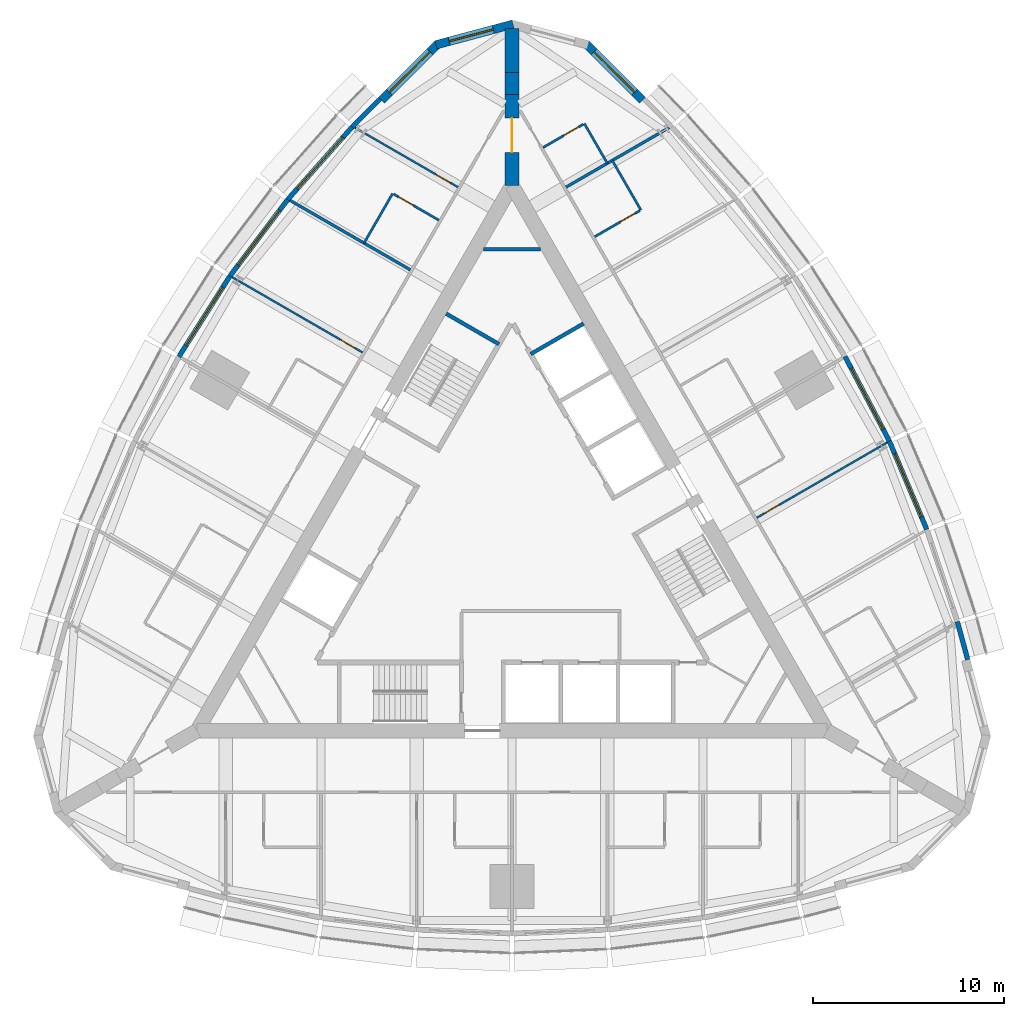
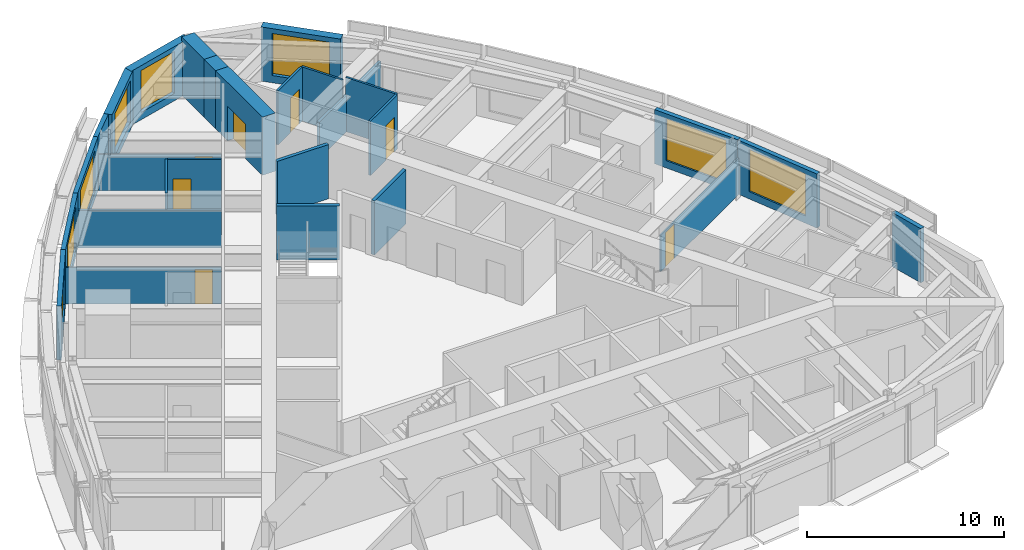
# One storey, part 13 of 15: 27 walls, 8 windows, 7 doors, 15 openings.
"""IFC4 building model written with IfcOpenShell, lengths in metres."""

from ifc_helpers import new_model, si_unit, direction, frame, frame_2d, origin, place, context, subcontext, project, spatial, polyline, rectangle, outline, extrude, material, layer, layer_set, type_object, element, fill, save


model = new_model("IFC4")

# Units and contexts
model_context = context("Model", 3, precision=1e-05, world=origin(), true_north=direction((0.0, 1.0)))
body_context = subcontext(model_context, "Body", "Model", "MODEL_VIEW")
ifc_project = project(units=[si_unit("LENGTHUNIT", "METRE"), si_unit("AREAUNIT", "SQUARE_METRE"), si_unit("VOLUMEUNIT", "CUBIC_METRE"), si_unit("PLANEANGLEUNIT", "RADIAN"), si_unit("MASSUNIT", "GRAM", prefix="KILO")], contexts=[model_context])

# Site, building, storey
site_placement = place(None, origin())
site = spatial("IfcSite", under=ifc_project, at=site_placement, CompositionType="ELEMENT")
building_placement = place(site_placement, origin())
building = spatial("IfcBuilding", under=site, at=building_placement, Name="Trikona Tower", CompositionType="ELEMENT")
storey_placement = place(building_placement, frame((0.0, 0.0, 229.699951171875)))
storey = spatial("IfcBuildingStorey", under=building, at=storey_placement, Name="L61", CompositionType="ELEMENT", Elevation=229.699951171875)

# Wall
ifc_material_1 = material(Name="Metal stud and cement board", Category="gypsum")
ifc_layer_1 = layer(ifc_material_1, 0.1201171875)
ifc_layer_set_1 = layer_set([ifc_layer_1], Name="Bathroom wall 120")
wall_type_1 = type_object("IfcWallType", Name="Bathroom wall 120", PredefinedType="PLUMBINGWALL", material=ifc_layer_set_1)
wall_1_placement = place(storey_placement, frame((6.75341796875, 17.75537109375, 0.0), z_axis=(0.0, 0.0, 1.0), x_axis=(-0.499990139034, 0.866031096941, 0.0)))
element("IfcWall", 1, at=wall_1_placement, inside=storey, type_object=wall_type_1, Name="Bathroom wall 6107.2", PredefinedType="PLUMBINGWALL", context=body_context, shape_type="SweptSolid", body=[
    extrude(rectangle(XDim=3.0, YDim=0.1201171875, at=frame_2d((1.5, 0.0))), origin(), (0.0, 0.0, 1.0), 3.35009765625),
])

# Wall, opening, door
wall_2_placement = place(storey_placement, frame((4.32861328125, 16.35546875, 0.0), z_axis=(0.0, 0.0, 1.0), x_axis=(0.866035715982, 0.499982138324, 0.0)))
wall_2 = element("IfcWall", 2, at=wall_2_placement, inside=storey, type_object=wall_type_1, Name="Bathroom wall 6107.2", PredefinedType="PLUMBINGWALL", context=body_context, shape_type="SweptSolid", body=[
    extrude(rectangle(XDim=2.73974609375, YDim=0.1201171875, at=frame_2d((1.369873046875, 0.0))), origin(), (0.0, 0.0, 1.0), 3.35009765625),
])
opening_1_placement = place(wall_2_placement, frame((1.550048828125, 0.0, 0.0)))
opening_1 = element("IfcOpeningElement", 3, at=opening_1_placement, cuts=wall_2, Name="Opening D2", PredefinedType="OPENING", context=body_context, shape_type="SweptSolid", body=[
    extrude(rectangle(XDim=0.89990234375, YDim=2.1298828125, at=frame_2d((0.449951171875, 1.06494140625))), frame((0.0, 0.070068359375, 0.0), z_axis=(0.0, -1.0, 0.0), x_axis=(1.0, 0.0, 0.0)), (0.0, 0.0, 1.0), 0.14013671875),
])
ifc_material_2 = material(Name="Steel door frame with solid-core timber leaf", Category="steel")
door_type_1 = type_object("IfcDoorType", Name="Bathroom door 900x2130", OperationType="SLIDING_TO_LEFT", PredefinedType="DOOR", material=ifc_material_2)
door_1_placement = place(opening_1_placement, origin())
door_1 = element("IfcDoor", 4, at=door_1_placement, inside=storey, type_object=door_type_1, Name="Bathroom door 6107.2", OperationType="SLIDING_TO_LEFT", OverallHeight=2.1298828125, OverallWidth=0.89990234375, PredefinedType="DOOR", context=body_context, shape_type="SweptSolid", body=[
    extrude(rectangle(XDim=0.89990234375, YDim=2.1298828125, at=frame_2d((0.449951171875, 1.06494140625))), frame((0.0, 0.02490234375, 0.0), z_axis=(0.0, -1.0, 0.0), x_axis=(1.0, 0.0, 0.0)), (0.0, 0.0, 1.0), 0.050048828125),
])
fill(opening_1, door_1)

# Wall
wall_3_placement = place(storey_placement, frame((4.993408203125, 20.20361328125, 0.0), z_axis=(0.0, 0.0, 1.0), x_axis=(-0.500001309137, 0.866024647952, 0.0)))
element("IfcWall", 5, at=wall_3_placement, inside=storey, type_object=wall_type_1, Name="Bathroom wall 6108", PredefinedType="PLUMBINGWALL", context=body_context, shape_type="SweptSolid", body=[
    extrude(rectangle(XDim=2.39990234375, YDim=0.1201171875, at=frame_2d((1.199951171875, 0.0))), origin(), (0.0, 0.0, 1.0), 3.35009765625),
])

# Wall, opening, door
wall_4_placement = place(storey_placement, frame((1.62841796875, 21.031982421875, 0.0), z_axis=(0.0, 0.0, 1.0), x_axis=(0.866048967903, 0.499959183527, 0.0)))
wall_4 = element("IfcWall", 6, at=wall_4_placement, inside=storey, type_object=wall_type_1, Name="Bathroom wall 6108", PredefinedType="PLUMBINGWALL", context=body_context, shape_type="SweptSolid", body=[
    extrude(rectangle(XDim=2.440185546875, YDim=0.1201171875, at=frame_2d((1.22021484375, 0.0))), origin(), (0.0, 0.0, 1.0), 3.35009765625),
])
opening_2_placement = place(wall_4_placement, frame((1.25, 0.0, 0.0)))
opening_2 = element("IfcOpeningElement", 7, at=opening_2_placement, cuts=wall_4, Name="Opening D2", PredefinedType="OPENING", context=body_context, shape_type="SweptSolid", body=[
    extrude(rectangle(XDim=0.89990234375, YDim=2.1298828125, at=frame_2d((0.449951171875, 1.06494140625))), frame((0.0, 0.070068359375, 0.0), z_axis=(0.0, -1.0, 0.0), x_axis=(1.0, 0.0, 0.0)), (0.0, 0.0, 1.0), 0.14013671875),
])
door_2_placement = place(opening_2_placement, origin())
door_2 = element("IfcDoor", 8, at=door_2_placement, inside=storey, type_object=door_type_1, Name="Bathroom door 6108", OperationType="SLIDING_TO_LEFT", OverallHeight=2.1298828125, OverallWidth=0.89990234375, PredefinedType="DOOR", context=body_context, shape_type="SweptSolid", body=[
    extrude(rectangle(XDim=0.89990234375, YDim=2.1298828125, at=frame_2d((0.449951171875, 1.06494140625))), frame((0.0, 0.02490234375, 0.0), z_axis=(0.0, -1.0, 0.0), x_axis=(1.0, 0.0, 0.0)), (0.0, 0.0, 1.0), 0.050048828125),
])
fill(opening_2, door_2)

# Wall
wall_5_placement = place(storey_placement, frame((-6.25341796875, 18.62158203125, 0.0), z_axis=(0.0, 0.0, 1.0), x_axis=(-0.499990139034, -0.866031096941, 0.0)))
element("IfcWall", 9, at=wall_5_placement, inside=storey, type_object=wall_type_1, Name="Bathroom wall 6109.1", PredefinedType="PLUMBINGWALL", context=body_context, shape_type="SweptSolid", body=[
    extrude(rectangle(XDim=3.0, YDim=0.1201171875, at=frame_2d((1.5, 0.0))), origin(), (0.0, 0.0, 1.0), 3.35009765625),
])

# Wall, opening, door
wall_6_placement = place(storey_placement, frame((-3.82861328125, 17.221435546875, 0.0), z_axis=(0.0, 0.0, 1.0), x_axis=(-0.865997131366, 0.500048966069, 0.0)))
wall_6 = element("IfcWall", 10, at=wall_6_placement, inside=storey, type_object=wall_type_1, Name="Bathroom wall 6109.1", PredefinedType="PLUMBINGWALL", context=body_context, shape_type="SweptSolid", body=[
    extrude(rectangle(XDim=2.739990234375, YDim=0.1201171875, at=frame_2d((1.3701171875, 0.0))), origin(), (0.0, 0.0, 1.0), 3.35009765625),
])
opening_3_placement = place(wall_6_placement, frame((1.550048828125, 0.0, 0.0)))
opening_3 = element("IfcOpeningElement", 11, at=opening_3_placement, cuts=wall_6, Name="Opening D2", PredefinedType="OPENING", context=body_context, shape_type="SweptSolid", body=[
    extrude(rectangle(XDim=0.89990234375, YDim=2.1298828125, at=frame_2d((0.449951171875, 1.06494140625))), frame((0.0, 0.070068359375, 0.0), z_axis=(0.0, -1.0, 0.0), x_axis=(1.0, 0.0, 0.0)), (0.0, 0.0, 1.0), 0.14013671875),
])
door_3_placement = place(opening_3_placement, origin())
door_3 = element("IfcDoor", 12, at=door_3_placement, inside=storey, type_object=door_type_1, Name="Bathroom door 6109.1", OperationType="SLIDING_TO_LEFT", OverallHeight=2.1298828125, OverallWidth=0.89990234375, PredefinedType="DOOR", context=body_context, shape_type="SweptSolid", body=[
    extrude(rectangle(XDim=0.89990234375, YDim=2.1298828125, at=frame_2d((0.449951171875, 1.06494140625))), frame((0.0, 0.02490234375, 0.0), z_axis=(0.0, -1.0, 0.0), x_axis=(1.0, 0.0, 0.0)), (0.0, 0.0, 1.0), 0.050048828125),
])
fill(opening_3, door_3)

# Wall, opening, window
ifc_material_3 = material(Name="Brick-faced precast concrete", Category="masonry")
ifc_layer_2 = layer(ifc_material_3, 0.449951171875)
ifc_layer_set_2 = layer_set([ifc_layer_2], Name="Brick-faced corner wall 450")
wall_type_2 = type_object("IfcWallType", Name="Brick-faced corner wall 450", PredefinedType="SOLIDWALL", material=ifc_layer_set_2)
wall_7_placement = place(storey_placement, frame((6.8408203125, 23.51220703125, 0.0), z_axis=(0.0, 0.0, 1.0), x_axis=(-0.707106781187, 0.707106781187, 0.0)))
wall_7 = element("IfcWall", 13, at=wall_7_placement, inside=storey, type_object=wall_type_2, Name="External wall L61-20", PredefinedType="SOLIDWALL", context=body_context, shape_type="SweptSolid", body=[
    extrude(rectangle(XDim=4.183837890625, YDim=0.449951171875, at=frame_2d((2.091796875, 0.0))), origin(), (0.0, 0.0, 1.0), 3.35009765625),
])
opening_4_placement = place(wall_7_placement, frame((0.592041015625, 0.0, 0.449951171875)))
opening_4 = element("IfcOpeningElement", 14, at=opening_4_placement, cuts=wall_7, Name="Opening W3026", PredefinedType="OPENING", context=body_context, shape_type="SweptSolid", body=[
    extrude(rectangle(XDim=3.0, YDim=2.60009765625, at=frame_2d((1.5, 1.300048828125))), frame((0.0, 0.23486328125, 0.0), z_axis=(0.0, -1.0, 0.0), x_axis=(1.0, 0.0, 0.0)), (0.0, 0.0, 1.0), 0.469970703125),
])
ifc_material_4 = material(Name="Aluminium-framed double glazing", Category="aluminium")
window_type_1 = type_object("IfcWindowType", Name="Window 3000x2600", PartitioningType="SINGLE_PANEL", PredefinedType="WINDOW", material=ifc_material_4)
window_1_placement = place(opening_4_placement, origin())
window_1 = element("IfcWindow", 15, at=window_1_placement, inside=storey, type_object=window_type_1, Name="Window 6108", OverallHeight=2.60009765625, OverallWidth=3.0, PartitioningType="SINGLE_PANEL", PredefinedType="WINDOW", context=body_context, shape_type="SweptSolid", body=[
    extrude(rectangle(XDim=3.0, YDim=2.60009765625, at=frame_2d((1.5, 1.300048828125))), frame((0.0, 0.030029296875, 0.0), z_axis=(0.0, -1.0, 0.0), x_axis=(1.0, 0.0, 0.0)), (0.0, 0.0, 1.0), 0.06005859375),
])
fill(opening_4, window_1)

wall_8_placement = place(storey_placement, frame((0.05810546875, 27.49560546875, 0.0), z_axis=(0.0, 0.0, 1.0), x_axis=(-0.965920442324, -0.258839137498, 0.0)))
wall_8 = element("IfcWall", 16, at=wall_8_placement, inside=storey, type_object=wall_type_2, Name="External wall L61-22", PredefinedType="SOLIDWALL", context=body_context, shape_type="SweptSolid", body=[
    extrude(outline(polyline([(4.18408203125, 0.22509765625), (0.5087890625, 0.22509765625), (0.478515625, 0.11279296875), (0.059814453125, 0.22509765625), (0.0, 0.22509765625), (0.0, -0.22509765625), (4.18408203125, -0.22509765625), (4.18408203125, 0.22509765625)])), origin(), (0.0, 0.0, 1.0), 3.35009765625),
])
opening_5_placement = place(wall_8_placement, frame((1.0712890625, 0.0, 0.449951171875)))
opening_5 = element("IfcOpeningElement", 17, at=opening_5_placement, cuts=wall_8, Name="Opening W2426", PredefinedType="OPENING", context=body_context, shape_type="SweptSolid", body=[
    extrude(rectangle(XDim=2.39990234375, YDim=2.60009765625, at=frame_2d((1.199951171875, 1.300048828125))), frame((0.0, 0.23486328125, 0.0), z_axis=(0.0, -1.0, 0.0), x_axis=(1.0, 0.0, 0.0)), (0.0, 0.0, 1.0), 0.469970703125),
])
ifc_material_5 = material(Name="Aluminium-framed double glazing", Category="aluminium")
window_type_2 = type_object("IfcWindowType", Name="Window 2400x2600", PartitioningType="SINGLE_PANEL", PredefinedType="WINDOW", material=ifc_material_5)
window_2_placement = place(opening_5_placement, origin())
window_2 = element("IfcWindow", 18, at=window_2_placement, inside=storey, type_object=window_type_2, Name="Window 6109", OverallHeight=2.60009765625, OverallWidth=2.39990234375, PartitioningType="SINGLE_PANEL", PredefinedType="WINDOW", context=body_context, shape_type="SweptSolid", body=[
    extrude(rectangle(XDim=2.39990234375, YDim=2.60009765625, at=frame_2d((1.199951171875, 1.300048828125))), frame((0.0, 0.030029296875, 0.0), z_axis=(0.0, -1.0, 0.0), x_axis=(1.0, 0.0, 0.0)), (0.0, 0.0, 1.0), 0.06005859375),
])
fill(opening_5, window_2)

wall_9_placement = place(storey_placement, frame((-3.88232421875, 26.470703125, 0.0), z_axis=(0.0, 0.0, 1.0), x_axis=(-0.707106781187, -0.707106781187, 0.0)))
wall_9 = element("IfcWall", 19, at=wall_9_placement, inside=storey, type_object=wall_type_2, Name="External wall L61-23", PredefinedType="SOLIDWALL", context=body_context, shape_type="SweptSolid", body=[
    extrude(rectangle(XDim=4.183837890625, YDim=0.449951171875, at=frame_2d((2.091796875, 0.0))), origin(), (0.0, 0.0, 1.0), 3.35009765625),
])
opening_6_placement = place(wall_9_placement, frame((0.592041015625, 0.0, 0.449951171875)))
opening_6 = element("IfcOpeningElement", 20, at=opening_6_placement, cuts=wall_9, Name="Opening W3026", PredefinedType="OPENING", context=body_context, shape_type="SweptSolid", body=[
    extrude(rectangle(XDim=3.0, YDim=2.60009765625, at=frame_2d((1.5, 1.300048828125))), frame((0.0, 0.23486328125, 0.0), z_axis=(0.0, -1.0, 0.0), x_axis=(1.0, 0.0, 0.0)), (0.0, 0.0, 1.0), 0.469970703125),
])
window_3_placement = place(opening_6_placement, origin())
window_3 = element("IfcWindow", 21, at=window_3_placement, inside=storey, type_object=window_type_1, Name="Window 6109", OverallHeight=2.60009765625, OverallWidth=3.0, PartitioningType="SINGLE_PANEL", PredefinedType="WINDOW", context=body_context, shape_type="SweptSolid", body=[
    extrude(rectangle(XDim=3.0, YDim=2.60009765625, at=frame_2d((1.5, 1.300048828125))), frame((0.0, 0.030029296875, 0.0), z_axis=(0.0, -1.0, 0.0), x_axis=(1.0, 0.0, 0.0)), (0.0, 0.0, 1.0), 0.06005859375),
])
fill(opening_6, window_3)

# Wall, opening, door
ifc_material_6 = material(Name="Concrete f'c 10000 psi", Category="concrete")
ifc_layer_3 = layer(ifc_material_6, 0.75)
ifc_layer_set_3 = layer_set([ifc_layer_3], Name="Buttress wall 750")
wall_type_3 = type_object("IfcWallType", Name="Buttress wall 750", PredefinedType="SHEAR", material=ifc_layer_set_3)
wall_10_placement = place(storey_placement, frame((0.0, 19.052490234375, 0.0), z_axis=(0.0, 0.0, 1.0), x_axis=(0.0, 1.0, 0.0)))
wall_10 = element("IfcWall", 22, at=wall_10_placement, inside=storey, type_object=wall_type_3, Name="Buttress wall 2", PredefinedType="SHEAR", context=body_context, shape_type="SweptSolid", body=[
    extrude(rectangle(XDim=4.74609375, YDim=0.75, at=frame_2d((2.373046875, 0.0))), origin(), (0.0, 0.0, 1.0), 3.60009765625),
])
opening_7_placement = place(wall_10_placement, frame((1.72509765625, 0.0, 0.0)))
opening_7 = element("IfcOpeningElement", 23, at=opening_7_placement, cuts=wall_10, Name="Opening D10", PredefinedType="OPENING", context=body_context, shape_type="SweptSolid", body=[
    extrude(rectangle(XDim=1.800048828125, YDim=2.1298828125, at=frame_2d((0.89990234375, 1.06494140625))), frame((0.0, 0.385009765625, 0.0), z_axis=(0.0, -1.0, 0.0), x_axis=(1.0, 0.0, 0.0)), (0.0, 0.0, 1.0), 0.77001953125),
])
ifc_material_7 = material(Name="Hollow metal door and frame", Category="steel")
door_type_2 = type_object("IfcDoorType", Name="Cross-corridor door pair 1800x2130", OperationType="DOUBLE_DOOR_DOUBLE_SWING", PredefinedType="DOOR", material=ifc_material_7)
door_4_placement = place(opening_7_placement, origin())
door_4 = element("IfcDoor", 24, at=door_4_placement, inside=storey, type_object=door_type_2, Name="Cross-corridor door 2", OperationType="DOUBLE_DOOR_DOUBLE_SWING", OverallHeight=2.1298828125, OverallWidth=1.800048828125, PredefinedType="DOOR", context=body_context, shape_type="SweptSolid", body=[
    extrude(rectangle(XDim=1.800048828125, YDim=2.1298828125, at=frame_2d((0.89990234375, 1.06494140625))), frame((0.0, 0.02490234375, 0.0), z_axis=(0.0, -1.0, 0.0), x_axis=(1.0, 0.0, 0.0)), (0.0, 0.0, 1.0), 0.050048828125),
])
fill(opening_7, door_4)

# Walls
wall_11_placement = place(storey_placement, frame((0.0, 23.798583984375, 0.0), z_axis=(0.0, 0.0, 1.0), x_axis=(0.0, 1.0, 0.0)))
element("IfcWall", 25, at=wall_11_placement, inside=storey, type_object=wall_type_3, Name="Buttress wall 2 part 2", PredefinedType="SHEAR", context=body_context, shape_type="SweptSolid", body=[
    extrude(rectangle(XDim=1.15478515625, YDim=0.75, at=frame_2d((0.577392578125, 0.0))), origin(), (0.0, 0.0, 1.0), 3.60009765625),
])
wall_12_placement = place(storey_placement, frame((0.0, 24.953369140625, 0.0), z_axis=(0.0, 0.0, 1.0), x_axis=(0.0, 1.0, 0.0)))
element("IfcWall", 26, at=wall_12_placement, inside=storey, type_object=wall_type_3, Name="Buttress wall 2 part 3", PredefinedType="SHEAR", context=body_context, shape_type="SweptSolid", body=[
    extrude(rectangle(XDim=2.309326171875, YDim=0.75, at=frame_2d((1.15478515625, 0.0))), origin(), (0.0, 0.0, 1.0), 3.60009765625),
])
ifc_material_8 = material(Name="Insulated precast concrete spandrel panel", Category="concrete")
ifc_layer_4 = layer(ifc_material_8, 0.25)
ifc_layer_set_4 = layer_set([ifc_layer_4], Name="Inner skin wall 250")
wall_type_4 = type_object("IfcWallType", Name="Inner skin wall 250", PredefinedType="STANDARD", material=ifc_layer_set_4)
wall_13_placement = place(storey_placement, frame((23.87939453125, -5.806396484375, 0.0), z_axis=(0.0, 0.0, 1.0), x_axis=(-0.262867703986, 0.964831887015, 0.0)))
element("IfcWall", 27, at=wall_13_placement, inside=storey, type_object=wall_type_4, Name="External wall L61-12", PredefinedType="STANDARD", context=body_context, shape_type="SweptSolid", body=[
    extrude(rectangle(XDim=2.068359375, YDim=0.25, at=frame_2d((1.0341796875, 0.0))), origin(), (0.0, 0.0, 1.0), 3.35009765625),
])

# Wall, opening, window
wall_14_placement = place(storey_placement, frame((21.73291015625, 1.01806640625, 0.0), z_axis=(0.0, 0.0, 1.0), x_axis=(-0.390096809471, 0.920773848044, 0.0)))
wall_14 = element("IfcWall", 28, at=wall_14_placement, inside=storey, type_object=wall_type_4, Name="External wall L61-14", PredefinedType="STANDARD", context=body_context, shape_type="SweptSolid", body=[
    extrude(rectangle(XDim=5.0380859375, YDim=0.25, at=frame_2d((2.51904296875, 0.0))), origin(), (0.0, 0.0, 1.0), 3.35009765625),
])
opening_8_placement = place(wall_14_placement, frame((0.718994140625, 0.0, 0.449951171875)))
opening_8 = element("IfcOpeningElement", 29, at=opening_8_placement, cuts=wall_14, Name="Opening W3626", PredefinedType="OPENING", context=body_context, shape_type="SweptSolid", body=[
    extrude(rectangle(XDim=3.60009765625, YDim=2.60009765625, at=frame_2d((1.800048828125, 1.300048828125))), frame((0.0, 0.135009765625, 0.0), z_axis=(0.0, -1.0, 0.0), x_axis=(1.0, 0.0, 0.0)), (0.0, 0.0, 1.0), 0.27001953125),
])
ifc_material_9 = material(Name="Aluminium-framed double glazing", Category="aluminium")
window_type_3 = type_object("IfcWindowType", Name="Window 3600x2600", PartitioningType="SINGLE_PANEL", PredefinedType="WINDOW", material=ifc_material_9)
window_4_placement = place(opening_8_placement, origin())
window_4 = element("IfcWindow", 30, at=window_4_placement, inside=storey, type_object=window_type_3, Name="Window 6106", OverallHeight=2.60009765625, OverallWidth=3.60009765625, PartitioningType="SINGLE_PANEL", PredefinedType="WINDOW", context=body_context, shape_type="SweptSolid", body=[
    extrude(rectangle(XDim=3.60009765625, YDim=2.60009765625, at=frame_2d((1.800048828125, 1.300048828125))), frame((0.0, 0.030029296875, 0.0), z_axis=(0.0, -1.0, 0.0), x_axis=(1.0, 0.0, 0.0)), (0.0, 0.0, 1.0), 0.06005859375),
])
fill(opening_8, window_4)

wall_15_placement = place(storey_placement, frame((19.772216796875, 5.64794921875, 0.0), z_axis=(0.0, 0.0, 1.0), x_axis=(-0.463976002579, 0.885847768542, 0.0)))
wall_15 = element("IfcWall", 31, at=wall_15_placement, inside=storey, type_object=wall_type_4, Name="External wall L61-15", PredefinedType="STANDARD", context=body_context, shape_type="SweptSolid", body=[
    extrude(rectangle(XDim=5.004150390625, YDim=0.25, at=frame_2d((2.501953125, 0.0))), origin(), (0.0, 0.0, 1.0), 3.35009765625),
])
opening_9_placement = place(wall_15_placement, frame((0.7021484375, 0.0, 0.449951171875)))
opening_9 = element("IfcOpeningElement", 32, at=opening_9_placement, cuts=wall_15, Name="Opening W3626", PredefinedType="OPENING", context=body_context, shape_type="SweptSolid", body=[
    extrude(rectangle(XDim=3.60009765625, YDim=2.60009765625, at=frame_2d((1.800048828125, 1.300048828125))), frame((0.0, 0.135009765625, 0.0), z_axis=(0.0, -1.0, 0.0), x_axis=(1.0, 0.0, 0.0)), (0.0, 0.0, 1.0), 0.27001953125),
])
window_5_placement = place(opening_9_placement, origin())
window_5 = element("IfcWindow", 33, at=window_5_placement, inside=storey, type_object=window_type_3, Name="Window 6106.2", OverallHeight=2.60009765625, OverallWidth=3.60009765625, PartitioningType="SINGLE_PANEL", PredefinedType="WINDOW", context=body_context, shape_type="SweptSolid", body=[
    extrude(rectangle(XDim=3.60009765625, YDim=2.60009765625, at=frame_2d((1.800048828125, 1.300048828125))), frame((0.0, 0.030029296875, 0.0), z_axis=(0.0, -1.0, 0.0), x_axis=(1.0, 0.0, 0.0)), (0.0, 0.0, 1.0), 0.06005859375),
])
fill(opening_9, window_5)

# Wall
wall_16_placement = place(storey_placement, frame((-6.9111328125, 23.58349609375, 0.0), z_axis=(0.0, 0.0, 1.0), x_axis=(-0.704149946111, -0.710051303352, 0.0)))
element("IfcWall", 34, at=wall_16_placement, inside=storey, type_object=wall_type_4, Name="External wall L61-24", PredefinedType="STANDARD", context=body_context, shape_type="SweptSolid", body=[
    extrude(rectangle(XDim=2.068603515625, YDim=0.25, at=frame_2d((1.0341796875, 0.0))), origin(), (0.0, 0.0, 1.0), 3.35009765625),
])

# Wall, opening, window
wall_17_placement = place(storey_placement, frame((-8.363037109375, 22.119873046875, 0.0), z_axis=(0.0, 0.0, 1.0), x_axis=(-0.664348996191, -0.747422511876, 0.0)))
wall_17 = element("IfcWall", 35, at=wall_17_placement, inside=storey, type_object=wall_type_4, Name="External wall L61-25", PredefinedType="STANDARD", context=body_context, shape_type="SweptSolid", body=[
    extrude(rectangle(XDim=5.104736328125, YDim=0.25, at=frame_2d((2.55224609375, 0.0))), origin(), (0.0, 0.0, 1.0), 3.35009765625),
])
opening_10_placement = place(wall_17_placement, frame((0.75244140625, 0.0, 0.449951171875)))
opening_10 = element("IfcOpeningElement", 36, at=opening_10_placement, cuts=wall_17, Name="Opening W3626", PredefinedType="OPENING", context=body_context, shape_type="SweptSolid", body=[
    extrude(rectangle(XDim=3.60009765625, YDim=2.60009765625, at=frame_2d((1.800048828125, 1.300048828125))), frame((0.0, 0.135009765625, 0.0), z_axis=(0.0, -1.0, 0.0), x_axis=(1.0, 0.0, 0.0)), (0.0, 0.0, 1.0), 0.27001953125),
])
window_6_placement = place(opening_10_placement, origin())
window_6 = element("IfcWindow", 37, at=window_6_placement, inside=storey, type_object=window_type_3, Name="Window 6109.1", OverallHeight=2.60009765625, OverallWidth=3.60009765625, PartitioningType="SINGLE_PANEL", PredefinedType="WINDOW", context=body_context, shape_type="SweptSolid", body=[
    extrude(rectangle(XDim=3.60009765625, YDim=2.60009765625, at=frame_2d((1.800048828125, 1.300048828125))), frame((0.0, 0.030029296875, 0.0), z_axis=(0.0, -1.0, 0.0), x_axis=(1.0, 0.0, 0.0)), (0.0, 0.0, 1.0), 0.06005859375),
])
fill(opening_10, window_6)

wall_18_placement = place(storey_placement, frame((-11.748046875, 18.31201171875, 0.0), z_axis=(0.0, 0.0, 1.0), x_axis=(-0.602408653511, -0.798187831388, 0.0)))
wall_18 = element("IfcWall", 38, at=wall_18_placement, inside=storey, type_object=wall_type_4, Name="External wall L61-26", PredefinedType="STANDARD", context=body_context, shape_type="SweptSolid", body=[
    extrude(rectangle(XDim=5.037841796875, YDim=0.25, at=frame_2d((2.51904296875, 0.0))), origin(), (0.0, 0.0, 1.0), 3.35009765625),
])
opening_11_placement = place(wall_18_placement, frame((0.718994140625, 0.0, 0.449951171875)))
opening_11 = element("IfcOpeningElement", 39, at=opening_11_placement, cuts=wall_18, Name="Opening W3626", PredefinedType="OPENING", context=body_context, shape_type="SweptSolid", body=[
    extrude(rectangle(XDim=3.60009765625, YDim=2.60009765625, at=frame_2d((1.800048828125, 1.300048828125))), frame((0.0, 0.135009765625, 0.0), z_axis=(0.0, -1.0, 0.0), x_axis=(1.0, 0.0, 0.0)), (0.0, 0.0, 1.0), 0.27001953125),
])
window_7_placement = place(opening_11_placement, origin())
window_7 = element("IfcWindow", 40, at=window_7_placement, inside=storey, type_object=window_type_3, Name="Window 6110", OverallHeight=2.60009765625, OverallWidth=3.60009765625, PartitioningType="SINGLE_PANEL", PredefinedType="WINDOW", context=body_context, shape_type="SweptSolid", body=[
    extrude(rectangle(XDim=3.60009765625, YDim=2.60009765625, at=frame_2d((1.800048828125, 1.300048828125))), frame((0.0, 0.030029296875, 0.0), z_axis=(0.0, -1.0, 0.0), x_axis=(1.0, 0.0, 0.0)), (0.0, 0.0, 1.0), 0.06005859375),
])
fill(opening_11, window_7)

wall_19_placement = place(storey_placement, frame((-14.777099609375, 14.29931640625, 0.0), z_axis=(0.0, 0.0, 1.0), x_axis=(-0.535220361449, -0.844712474568, 0.0)))
wall_19 = element("IfcWall", 41, at=wall_19_placement, inside=storey, type_object=wall_type_4, Name="External wall L61-27", PredefinedType="STANDARD", context=body_context, shape_type="SweptSolid", body=[
    extrude(rectangle(XDim=5.00439453125, YDim=0.25, at=frame_2d((2.502197265625, 0.0))), origin(), (0.0, 0.0, 1.0), 3.35009765625),
])
opening_12_placement = place(wall_19_placement, frame((0.7021484375, 0.0, 0.449951171875)))
opening_12 = element("IfcOpeningElement", 42, at=opening_12_placement, cuts=wall_19, Name="Opening W3626", PredefinedType="OPENING", context=body_context, shape_type="SweptSolid", body=[
    extrude(rectangle(XDim=3.60009765625, YDim=2.60009765625, at=frame_2d((1.800048828125, 1.300048828125))), frame((0.0, 0.135009765625, 0.0), z_axis=(0.0, -1.0, 0.0), x_axis=(1.0, 0.0, 0.0)), (0.0, 0.0, 1.0), 0.27001953125),
])
window_8_placement = place(opening_12_placement, origin())
window_8 = element("IfcWindow", 43, at=window_8_placement, inside=storey, type_object=window_type_3, Name="Window 6110.1", OverallHeight=2.60009765625, OverallWidth=3.60009765625, PartitioningType="SINGLE_PANEL", PredefinedType="WINDOW", context=body_context, shape_type="SweptSolid", body=[
    extrude(rectangle(XDim=3.60009765625, YDim=2.60009765625, at=frame_2d((1.800048828125, 1.300048828125))), frame((0.0, 0.030029296875, 0.0), z_axis=(0.0, -1.0, 0.0), x_axis=(1.0, 0.0, 0.0)), (0.0, 0.0, 1.0), 0.06005859375),
])
fill(opening_12, window_8)

# Walls
ifc_material_10 = material(Name="Metal stud and gypsum board, 1-hour acoustic", Category="gypsum")
ifc_layer_5 = layer(ifc_material_10, 0.14990234375)
ifc_layer_set_5 = layer_set([ifc_layer_5], Name="Party wall 150")
wall_type_5 = type_object("IfcWallType", Name="Party wall 150", PredefinedType="PARTITIONING", material=ifc_layer_set_5)
wall_20_placement = place(storey_placement, frame((2.82861328125, 18.95361328125, 0.0), z_axis=(0.0, 0.0, 1.0), x_axis=(0.866026604282, 0.499997920671, 0.0)))
element("IfcWall", 44, at=wall_20_placement, inside=storey, type_object=wall_type_5, Name="Partition L61 F2 u15", PredefinedType="PARTITIONING", context=body_context, shape_type="SweptSolid", body=[
    extrude(rectangle(XDim=6.23974609375, YDim=0.14990234375, at=frame_2d((3.119873046875, 0.0))), origin(), (0.0, 0.0, 1.0), 2.25),
])
wall_21_placement = place(storey_placement, frame((-5.32861328125, 14.623291015625, 0.0), z_axis=(0.0, 0.0, 1.0), x_axis=(-0.866017877653, 0.500013035415, 0.0)))
element("IfcWall", 45, at=wall_21_placement, inside=storey, type_object=wall_type_5, Name="Partition L61 F3 u-10", PredefinedType="PARTITIONING", context=body_context, shape_type="SweptSolid", body=[
    extrude(rectangle(XDim=7.272705078125, YDim=0.14990234375, at=frame_2d((3.63623046875, 0.0))), origin(), (0.0, 0.0, 1.0), 2.30859375),
])
ifc_material_11 = material(Name="Concrete f'c 8000 psi", Category="concrete")
ifc_layer_6 = layer(ifc_material_11, 0.199951171875)
ifc_layer_set_6 = layer_set([ifc_layer_6], Name="Shaft wall 200")
wall_type_6 = type_object("IfcWallType", Name="Shaft wall 200", PredefinedType="SOLIDWALL", material=ifc_layer_set_6)
wall_22_placement = place(storey_placement, frame((0.97900390625, 10.20703125, 0.0), z_axis=(0.0, 0.0, 1.0), x_axis=(0.866042017984, 0.499971222258, 0.0)))
element("IfcWall", 46, at=wall_22_placement, inside=storey, type_object=wall_type_6, Name="Shaft wall B6", PredefinedType="SOLIDWALL", context=body_context, shape_type="SweptSolid", body=[
    extrude(rectangle(XDim=3.199951171875, YDim=0.199951171875, at=frame_2d((1.60009765625, 0.0))), origin(), (0.0, 0.0, 1.0), 3.35009765625),
])
wall_23_placement = place(storey_placement, frame((-1.501220703125, 15.70263671875, 0.0), z_axis=(0.0, 0.0, 1.0), x_axis=(1.0, 0.0, 0.0)))
element("IfcWall", 47, at=wall_23_placement, inside=storey, type_object=wall_type_6, Name="Riser wall L61-RS2", PredefinedType="SOLIDWALL", context=body_context, shape_type="SweptSolid", body=[
    extrude(rectangle(XDim=3.00244140625, YDim=0.199951171875, at=frame_2d((1.501220703125, 0.0))), origin(), (0.0, 0.0, 1.0), 3.35009765625),
])
ifc_material_12 = material(Name="Concrete f'c 8000 psi", Category="concrete")
ifc_layer_7 = layer(ifc_material_12, 0.199951171875)
ifc_layer_set_7 = layer_set([ifc_layer_7], Name="Shaft wall 200 load-bearing")
wall_type_7 = type_object("IfcWallType", Name="Shaft wall 200 load-bearing", PredefinedType="SOLIDWALL", material=ifc_layer_set_7)
wall_24_placement = place(storey_placement, frame((-0.678955078125, 10.7265625, 0.0), z_axis=(0.0, 0.0, 1.0), x_axis=(-0.866008981251, 0.500028443584, 0.0)))
element("IfcWall", 48, at=wall_24_placement, inside=storey, type_object=wall_type_7, Name="Shaft wall C1", PredefinedType="SOLIDWALL", context=body_context, shape_type="SweptSolid", body=[
    extrude(rectangle(XDim=3.199951171875, YDim=0.199951171875, at=frame_2d((1.60009765625, 0.0))), origin(), (0.0, 0.0, 1.0), 3.35009765625),
])

# Wall, opening, door
ifc_material_13 = material(Name="Metal stud and gypsum board, acoustic", Category="gypsum")
ifc_layer_8 = layer(ifc_material_13, 0.10009765625)
ifc_layer_set_8 = layer_set([ifc_layer_8], Name="Suite partition 100")
wall_type_8 = type_object("IfcWallType", Name="Suite partition 100", PredefinedType="PARTITIONING", material=ifc_layer_set_8)
wall_25_placement = place(storey_placement, frame((12.82861328125, 1.633056640625, 0.0), z_axis=(0.0, 0.0, 1.0), x_axis=(0.866030558329, 0.49999107196, 0.0)))
wall_25 = element("IfcWall", 49, at=wall_25_placement, inside=storey, type_object=wall_type_8, Name="Suite partition L61 F2 u-5", PredefinedType="PARTITIONING", context=body_context, shape_type="SweptSolid", body=[
    extrude(rectangle(XDim=7.893798828125, YDim=0.10009765625, at=frame_2d((3.94677734375, 0.0))), origin(), (0.0, 0.0, 1.0), 2.25),
])
opening_13_placement = place(wall_25_placement, frame((0.449951171875, 0.0, 0.0)))
opening_13 = element("IfcOpeningElement", 50, at=opening_13_placement, cuts=wall_25, Name="Opening D13", PredefinedType="OPENING", context=body_context, shape_type="SweptSolid", body=[
    extrude(rectangle(XDim=0.89990234375, YDim=2.1298828125, at=frame_2d((0.449951171875, 1.06494140625))), frame((0.0, 0.06005859375, 0.0), z_axis=(0.0, -1.0, 0.0), x_axis=(1.0, 0.0, 0.0)), (0.0, 0.0, 1.0), 0.1201171875),
])
ifc_material_14 = material(Name="Steel door frame with solid-core timber leaf", Category="steel")
door_type_3 = type_object("IfcDoorType", Name="Suite door 900x2130", OperationType="SINGLE_SWING_LEFT", PredefinedType="DOOR", material=ifc_material_14)
door_5_placement = place(opening_13_placement, origin())
door_5 = element("IfcDoor", 51, at=door_5_placement, inside=storey, type_object=door_type_3, Name="Suite door 6106", OperationType="SINGLE_SWING_LEFT", OverallHeight=2.1298828125, OverallWidth=0.89990234375, PredefinedType="DOOR", context=body_context, shape_type="SweptSolid", body=[
    extrude(rectangle(XDim=0.89990234375, YDim=2.1298828125, at=frame_2d((0.449951171875, 1.06494140625))), frame((0.0, 0.02490234375, 0.0), z_axis=(0.0, -1.0, 0.0), x_axis=(1.0, 0.0, 0.0)), (0.0, 0.0, 1.0), 0.050048828125),
])
fill(opening_13, door_5)

wall_26_placement = place(storey_placement, frame((-2.82861328125, 18.95361328125, 0.0), z_axis=(0.0, 0.0, 1.0), x_axis=(-0.866026604282, 0.499997920671, 0.0)))
wall_26 = element("IfcWall", 52, at=wall_26_placement, inside=storey, type_object=wall_type_8, Name="Suite partition L61 F3 u-15", PredefinedType="PARTITIONING", context=body_context, shape_type="SweptSolid", body=[
    extrude(rectangle(XDim=6.23974609375, YDim=0.10009765625, at=frame_2d((3.119873046875, 0.0))), origin(), (0.0, 0.0, 1.0), 2.25),
])
opening_14_placement = place(wall_26_placement, frame((0.449951171875, 0.0, 0.0)))
opening_14 = element("IfcOpeningElement", 53, at=opening_14_placement, cuts=wall_26, Name="Opening D13", PredefinedType="OPENING", context=body_context, shape_type="SweptSolid", body=[
    extrude(rectangle(XDim=0.89990234375, YDim=2.1298828125, at=frame_2d((0.449951171875, 1.06494140625))), frame((0.0, 0.06005859375, 0.0), z_axis=(0.0, -1.0, 0.0), x_axis=(1.0, 0.0, 0.0)), (0.0, 0.0, 1.0), 0.1201171875),
])
door_6_placement = place(opening_14_placement, origin())
door_6 = element("IfcDoor", 54, at=door_6_placement, inside=storey, type_object=door_type_3, Name="Suite door 6109", OperationType="SINGLE_SWING_LEFT", OverallHeight=2.1298828125, OverallWidth=0.89990234375, PredefinedType="DOOR", context=body_context, shape_type="SweptSolid", body=[
    extrude(rectangle(XDim=0.89990234375, YDim=2.1298828125, at=frame_2d((0.449951171875, 1.06494140625))), frame((0.0, 0.02490234375, 0.0), z_axis=(0.0, -1.0, 0.0), x_axis=(1.0, 0.0, 0.0)), (0.0, 0.0, 1.0), 0.050048828125),
])
fill(opening_14, door_6)

wall_27_placement = place(storey_placement, frame((-7.82861328125, 10.293212890625, 0.0), z_axis=(0.0, 0.0, 1.0), x_axis=(-0.866030558329, 0.49999107196, 0.0)))
wall_27 = element("IfcWall", 55, at=wall_27_placement, inside=storey, type_object=wall_type_8, Name="Suite partition L61 F3 u-5", PredefinedType="PARTITIONING", context=body_context, shape_type="SweptSolid", body=[
    extrude(rectangle(XDim=7.893798828125, YDim=0.10009765625, at=frame_2d((3.94677734375, 0.0))), origin(), (0.0, 0.0, 1.0), 2.25),
])
opening_15_placement = place(wall_27_placement, frame((0.449951171875, 0.0, 0.0)))
opening_15 = element("IfcOpeningElement", 56, at=opening_15_placement, cuts=wall_27, Name="Opening D13", PredefinedType="OPENING", context=body_context, shape_type="SweptSolid", body=[
    extrude(rectangle(XDim=0.89990234375, YDim=2.1298828125, at=frame_2d((0.449951171875, 1.06494140625))), frame((0.0, 0.06005859375, 0.0), z_axis=(0.0, -1.0, 0.0), x_axis=(1.0, 0.0, 0.0)), (0.0, 0.0, 1.0), 0.1201171875),
])
door_7_placement = place(opening_15_placement, origin())
door_7 = element("IfcDoor", 57, at=door_7_placement, inside=storey, type_object=door_type_3, Name="Suite door 6110", OperationType="SINGLE_SWING_LEFT", OverallHeight=2.1298828125, OverallWidth=0.89990234375, PredefinedType="DOOR", context=body_context, shape_type="SweptSolid", body=[
    extrude(rectangle(XDim=0.89990234375, YDim=2.1298828125, at=frame_2d((0.449951171875, 1.06494140625))), frame((0.0, 0.02490234375, 0.0), z_axis=(0.0, -1.0, 0.0), x_axis=(1.0, 0.0, 0.0)), (0.0, 0.0, 1.0), 0.050048828125),
])
fill(opening_15, door_7)

save(model, "model.ifc")
